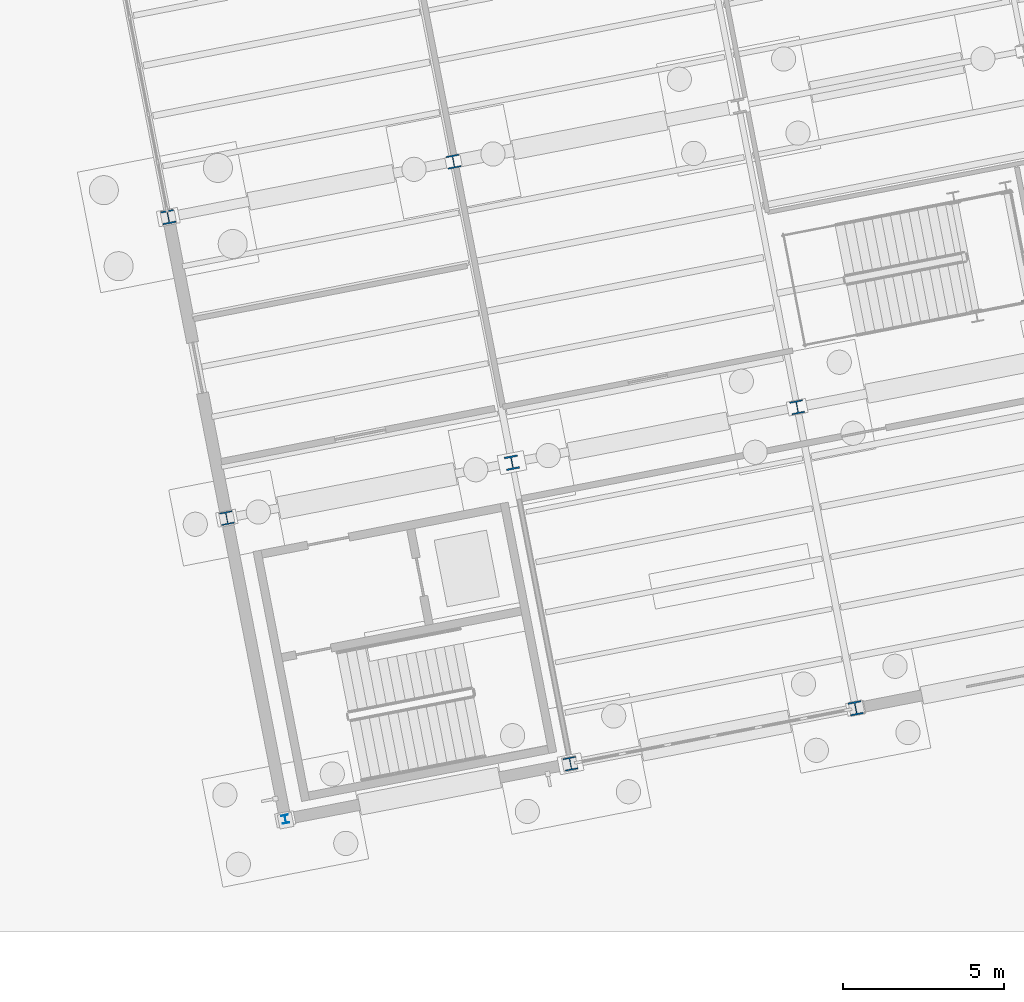
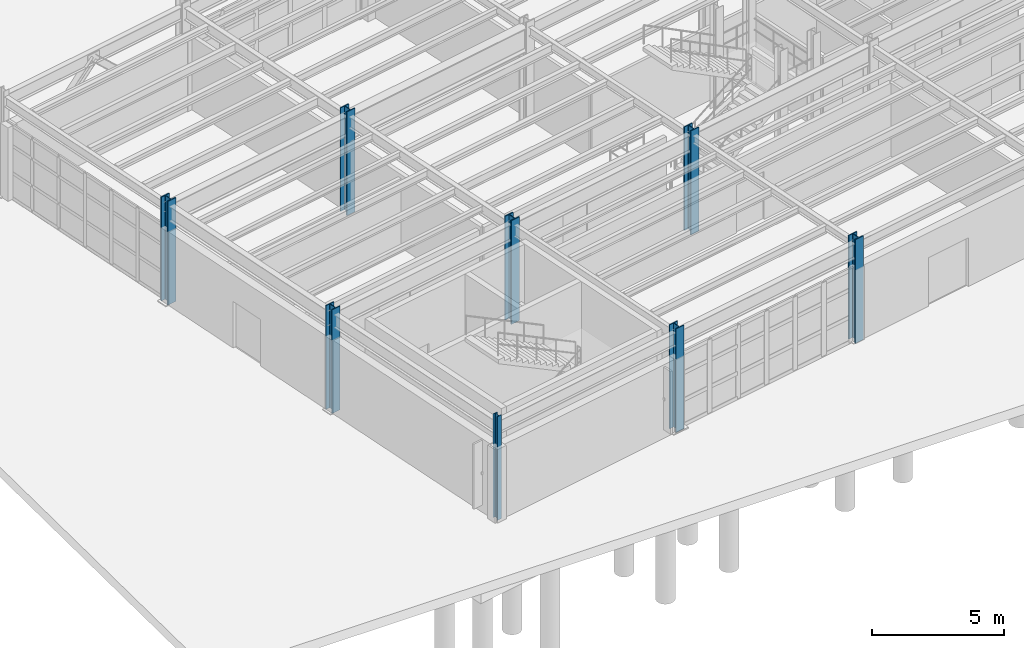
# One storey, part 9 of 108: 8 columns.
"""IFC4 building model written with IfcOpenShell, lengths in metres."""

from ifc_helpers import new_model, si_unit, direction, frame, origin, origin_2d, place, context, subcontext, project, spatial, i_section, extrude, material, material_profile, profile_set, type_object, element, save


model = new_model("IFC4")

# Units and contexts
model_context = context("Model", 3, precision=1e-05, world=origin(), true_north=direction((0.0, 1.0)))
body_context = subcontext(model_context, "Body", "Model", "MODEL_VIEW")
ifc_project = project(units=[si_unit("LENGTHUNIT", "METRE"), si_unit("AREAUNIT", "SQUARE_METRE"), si_unit("VOLUMEUNIT", "CUBIC_METRE"), si_unit("PLANEANGLEUNIT", "RADIAN"), si_unit("MASSUNIT", "GRAM", prefix="KILO")], contexts=[model_context])

# Site, building, storey
site_placement = place(None, origin())
site = spatial("IfcSite", under=ifc_project, at=site_placement, CompositionType="ELEMENT")
building_placement = place(site_placement, origin())
building = spatial("IfcBuilding", under=site, at=building_placement, Name="Vireo Bluff Cable Station", CompositionType="ELEMENT")
storey_placement = place(building_placement, origin())
storey = spatial("IfcBuildingStorey", under=building, at=storey_placement, Name="L00", CompositionType="ELEMENT", Elevation=0.0)

# Columns
ifc_material = material(Name="Steel ASTM A992 Gr. 50", Category="steel")
ifc_material_profile_1 = material_profile(ifc_material, i_section(OverallWidth=0.404052734375, OverallDepth=0.406005859375, WebThickness=0.027099609375, FlangeThickness=0.043701171875, FilletRadius=0.014892578125, at=origin_2d()), Name="W14X233")
ifc_profile_set_1 = profile_set([ifc_material_profile_1], Name="Steel ASTM A992 Gr. 50")
column_type_1 = type_object("IfcColumnType", Name="COL-W14X233", PredefinedType="COLUMN", material=ifc_profile_set_1)
for number, where, z_axis, x_axis, name in (
    (1, (14.709228515625, 25.8681640625, 0.0), (0.0, 0.0, 1.0), (0.981627183448, 0.190808995377, 0.0), "V5 L00 column 347"),
    (2, (25.356689453125, 18.260009765625, 0.0), (0.0, 0.0, 1.0), (0.981627183448, 0.190808995377, 0.0), "V5 L00 column 355"),
):
    element("IfcColumn", number, at=place(storey_placement, frame(where, z_axis=z_axis, x_axis=x_axis)), inside=storey, type_object=column_type_1, Name=name, PredefinedType="COLUMN", context=body_context, shape_type="SweptSolid", body=[
        extrude(i_section(OverallWidth=0.404052734375, OverallDepth=0.406005859375, WebThickness=0.027099609375, FlangeThickness=0.043701171875, FilletRadius=0.014892578125, at=origin_2d()), origin(), (0.0, 0.0, 1.0), 4.800048828125),
    ])
ifc_material_profile_2 = material_profile(ifc_material, i_section(OverallWidth=0.408935546875, OverallDepth=0.424072265625, WebThickness=0.03271484375, FlangeThickness=0.052490234375, FilletRadius=0.014892578125, at=origin_2d()), Name="W14X283")
ifc_profile_set_2 = profile_set([ifc_material_profile_2], Name="Steel ASTM A992 Gr. 50")
column_type_2 = type_object("IfcColumnType", Name="COL-W14X283", PredefinedType="COLUMN", material=ifc_profile_set_2)
column_1_placement = place(storey_placement, frame((16.52197265625, 16.542724609375, 0.0), z_axis=(0.0, 0.0, 1.0), x_axis=(0.981627183448, 0.190808995377, 0.0)))
element("IfcColumn", 3, at=column_1_placement, inside=storey, type_object=column_type_2, Name="V5 L00 column 344", PredefinedType="COLUMN", context=body_context, shape_type="SweptSolid", body=[
    extrude(i_section(OverallWidth=0.408935546875, OverallDepth=0.424072265625, WebThickness=0.03271484375, FlangeThickness=0.052490234375, FilletRadius=0.014892578125, at=origin_2d()), origin(), (0.0, 0.0, 1.0), 4.800048828125),
])
ifc_material_profile_3 = material_profile(ifc_material, i_section(OverallWidth=0.40087890625, OverallDepth=0.39892578125, WebThickness=0.02490234375, FlangeThickness=0.03955078125, FilletRadius=0.014892578125, at=origin_2d()), Name="W14X211")
ifc_profile_set_3 = profile_set([ifc_material_profile_3], Name="Steel ASTM A992 Gr. 50")
column_type_3 = type_object("IfcColumnType", Name="ECOL-W14X211", PredefinedType="COLUMN", material=ifc_profile_set_3)
for number, where, z_axis, x_axis, name in (
    (4, (7.687255859375, 14.825439453125, 0.0), (0.0, 0.0, 1.0), (0.981627183448, 0.190808995377, 0.0), "V5 L00 column 333"),
    (5, (18.334716796875, 7.21728515625, 0.0), (0.0, 0.0, 1.0), (0.981627183448, 0.190808995377, 0.0), "V5 L00 column 341"),
):
    element("IfcColumn", number, at=place(storey_placement, frame(where, z_axis=z_axis, x_axis=x_axis)), inside=storey, type_object=column_type_3, Name=name, PredefinedType="COLUMN", context=body_context, shape_type="SweptSolid", body=[
        extrude(i_section(OverallWidth=0.40087890625, OverallDepth=0.39892578125, WebThickness=0.02490234375, FlangeThickness=0.03955078125, FilletRadius=0.014892578125, at=origin_2d()), origin(), (0.0, 0.0, 1.0), 4.800048828125),
    ])
ifc_material_profile_4 = material_profile(ifc_material, i_section(OverallWidth=0.406005859375, OverallDepth=0.4169921875, WebThickness=0.02978515625, FlangeThickness=0.048095703125, FilletRadius=0.014892578125, at=origin_2d()), Name="W14X257")
ifc_profile_set_4 = profile_set([ifc_material_profile_4], Name="Steel ASTM A992 Gr. 50")
column_type_4 = type_object("IfcColumnType", Name="ECOL-W14X257", PredefinedType="COLUMN", material=ifc_profile_set_4)
for number, where, z_axis, x_axis, name in (
    (6, (5.87451171875, 24.15087890625, 0.0), (0.0, 0.0, 1.0), (0.981627183448, 0.190808995377, 0.0), "V5 L00 column 336"),
    (7, (27.169189453125, 8.9345703125, 0.0), (0.0, 0.0, 1.0), (0.981627183448, 0.190808995377, 0.0), "V5 L00 column 352"),
):
    element("IfcColumn", number, at=place(storey_placement, frame(where, z_axis=z_axis, x_axis=x_axis)), inside=storey, type_object=column_type_4, Name=name, PredefinedType="COLUMN", context=body_context, shape_type="SweptSolid", body=[
        extrude(i_section(OverallWidth=0.406005859375, OverallDepth=0.4169921875, WebThickness=0.02978515625, FlangeThickness=0.048095703125, FilletRadius=0.014892578125, at=origin_2d()), origin(), (0.0, 0.0, 1.0), 4.800048828125),
    ])
ifc_material_profile_5 = material_profile(ifc_material, i_section(OverallWidth=0.2041015625, OverallDepth=0.257080078125, WebThickness=0.0087890625, FlangeThickness=0.015625, FilletRadius=0.009033203125, at=origin_2d()), Name="W10X45")
ifc_profile_set_5 = profile_set([ifc_material_profile_5], Name="Steel ASTM A992 Gr. 50")
column_type_5 = type_object("IfcColumnType", Name="PIL-W10X45", PredefinedType="PILASTER", material=ifc_profile_set_5)
column_2_placement = place(storey_placement, frame((9.5, 5.5, 0.0), z_axis=(0.0, 0.0, 1.0), x_axis=(0.981627183448, 0.190808995377, 0.0)))
element("IfcColumn", 8, at=column_2_placement, inside=storey, type_object=column_type_5, Name="V5 L00 column 330", PredefinedType="PILASTER", context=body_context, shape_type="SweptSolid", body=[
    extrude(i_section(OverallWidth=0.2041015625, OverallDepth=0.257080078125, WebThickness=0.0087890625, FlangeThickness=0.015625, FilletRadius=0.009033203125, at=origin_2d()), origin(), (0.0, 0.0, 1.0), 4.800048828125),
])

save(model, "model.ifc")
